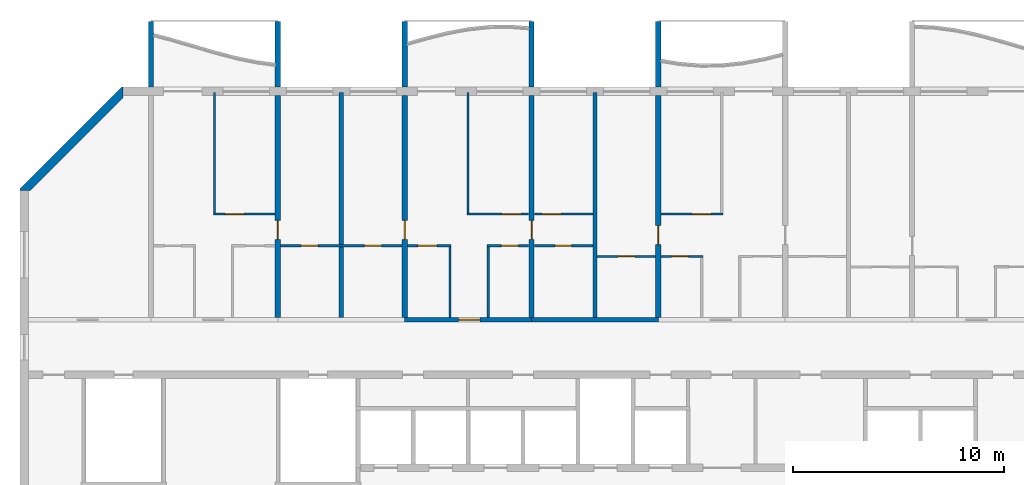
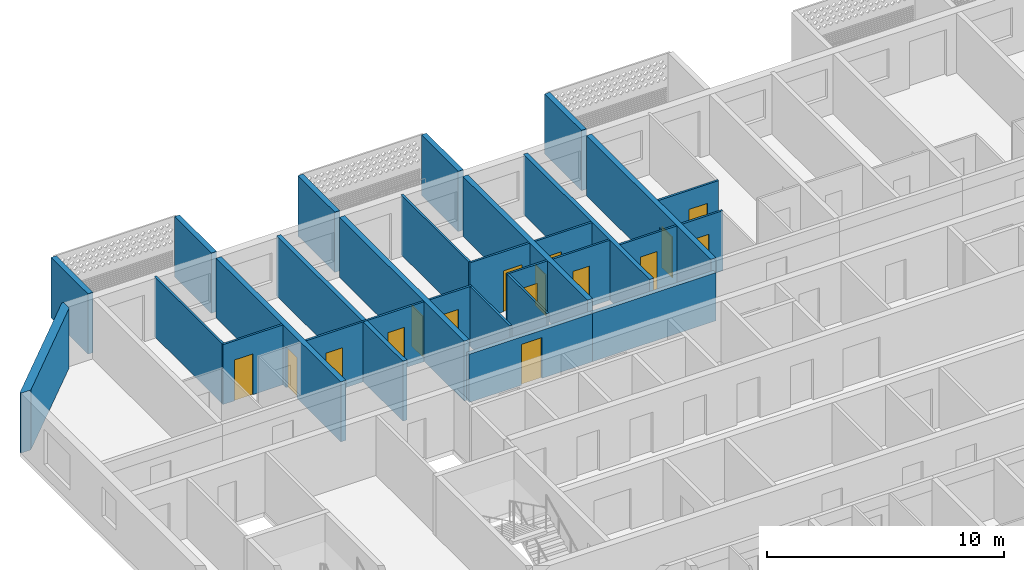
# One storey, part 8 of 26: 28 walls, 16 doors, 16 openings.
"""IFC4 building model written with IfcOpenShell, lengths in metres."""

from ifc_helpers import new_model, si_unit, direction, frame, frame_2d, origin, place, context, subcontext, project, spatial, polyline, rectangle, outline, extrude, source, transform, mapped, material, layer, layer_set, type_object, element, fill, save


model = new_model("IFC4")

# Units and contexts
model_context = context("Model", 3, precision=1e-05, world=origin(), true_north=direction((0.0, 1.0)))
body_context = subcontext(model_context, "Body", "Model", "MODEL_VIEW")
ifc_project = project(units=[si_unit("LENGTHUNIT", "METRE"), si_unit("AREAUNIT", "SQUARE_METRE"), si_unit("VOLUMEUNIT", "CUBIC_METRE"), si_unit("PLANEANGLEUNIT", "RADIAN"), si_unit("MASSUNIT", "GRAM", prefix="KILO")], contexts=[model_context])

# Site, building, storey
site_placement = place(None, origin())
site = spatial("IfcSite", under=ifc_project, at=site_placement, CompositionType="ELEMENT")
building_placement = place(site_placement, origin())
building = spatial("IfcBuilding", under=site, at=building_placement, Name="Poui Terraces", CompositionType="ELEMENT")
storey_placement = place(building_placement, frame((0.0, 0.0, 241.199951171875)))
storey = spatial("IfcBuildingStorey", under=building, at=storey_placement, Name="L67", CompositionType="ELEMENT", Elevation=241.199951171875)

# Wall, opening, door
ifc_material_1 = material(Name="Concrete 50 MPa", Category="concrete")
ifc_layer_1 = layer(ifc_material_1, 0.199951171875)
ifc_layer_set_1 = layer_set([ifc_layer_1], Name="Concrete 50 MPa")
wall_type_1 = type_object("IfcWallType", Name="CORRIDOR WALL 200 50MPa", PredefinedType="SHEAR", material=ifc_layer_set_1)
wall_1_placement = place(storey_placement, frame((36.0, 30.39990234375, 0.0), z_axis=(0.0, 0.0, 1.0), x_axis=(1.0, 0.0, 0.0)))
wall_1 = element("IfcWall", 1, at=wall_1_placement, inside=storey, type_object=wall_type_1, Name="CORRIDOR WALL LINE E BAY 4", PredefinedType="SHEAR", context=body_context, shape_type="SweptSolid", body=[
    extrude(rectangle(XDim=6.0, YDim=0.199951171875, at=frame_2d((3.0, 0.0))), origin(), (0.0, 0.0, 1.0), 2.47998046875),
])
opening_1_placement = place(wall_1_placement, frame((2.550048828125, 0.0, 0.0)))
opening_1 = element("IfcOpeningElement", 2, at=opening_1_placement, cuts=wall_1, Name="Opening FD30S", PredefinedType="OPENING", context=body_context, shape_type="SweptSolid", body=[
    extrude(rectangle(XDim=1.0, YDim=2.10009765625, at=frame_2d((0.5, 1.050048828125))), frame((0.0, 0.10986328125, 0.0), z_axis=(0.0, -1.0, 0.0), x_axis=(1.0, 0.0, 0.0)), (0.0, 0.0, 1.0), 0.219970703125),
])
ifc_material_2 = material(Name="Steel fire door", Category="steel")
door_type_1 = type_object("IfcDoorType", Name="FLAT ENTRANCE DOOR 1000 X 2100", OperationType="NOTDEFINED", PredefinedType="DOOR", material=ifc_material_2)
door_1_placement = place(opening_1_placement, origin())
door_1 = element("IfcDoor", 3, at=door_1_placement, inside=storey, type_object=door_type_1, Name="FLAT ENTRANCE DOOR 037", OperationType="SINGLE_SWING_RIGHT", OverallHeight=2.10009765625, OverallWidth=1.0, PredefinedType="DOOR", context=body_context, shape_type="SweptSolid", body=[
    extrude(rectangle(XDim=1.0, YDim=2.10009765625, at=frame_2d((0.5, 1.050048828125))), frame((0.0, 0.02490234375, 0.0), z_axis=(0.0, -1.0, 0.0), x_axis=(1.0, 0.0, 0.0)), (0.0, 0.0, 1.0), 0.050048828125),
])
fill(opening_1, door_1)

# Wall
wall_2_placement = place(storey_placement, frame((42.0, 30.39990234375, 0.0), z_axis=(0.0, 0.0, 1.0), x_axis=(1.0, 0.0, 0.0)))
element("IfcWall", 4, at=wall_2_placement, inside=storey, type_object=wall_type_1, Name="CORRIDOR WALL LINE E BAY 5", PredefinedType="SHEAR", context=body_context, shape_type="SweptSolid", body=[
    extrude(rectangle(XDim=6.0, YDim=0.199951171875, at=frame_2d((3.0, 0.0))), origin(), (0.0, 0.0, 1.0), 2.47998046875),
])

# Wall, opening, door
ifc_layer_2 = layer(ifc_material_1, 0.25)
ifc_layer_set_2 = layer_set([ifc_layer_2], Name="Concrete 50 MPa")
wall_type_2 = type_object("IfcWallType", Name="CROSS WALL 250 50MPa", PredefinedType="SHEAR", material=ifc_layer_set_2)
wall_3_placement = place(storey_placement, frame((30.0, 30.5, 0.0), z_axis=(0.0, 0.0, 1.0), x_axis=(0.0, 1.0, 0.0)))
wall_3 = element("IfcWall", 5, at=wall_3_placement, inside=storey, type_object=wall_type_2, Name="CROSS WALL LINE 6 NORTH", PredefinedType="SHEAR", context=body_context, shape_type="SweptSolid", body=[
    extrude(rectangle(XDim=10.5, YDim=0.25, at=frame_2d((5.25, 0.0))), origin(), (0.0, 0.0, 1.0), 3.080078125),
])
opening_2_placement = place(wall_3_placement, frame((3.699951171875, 0.0, 0.0)))
opening_2 = element("IfcOpeningElement", 6, at=opening_2_placement, cuts=wall_3, Name="Opening D90", PredefinedType="OPENING", context=body_context, shape_type="SweptSolid", body=[
    extrude(rectangle(XDim=0.89990234375, YDim=2.10009765625, at=frame_2d((0.449951171875, 1.050048828125))), frame((0.0, 0.135009765625, 0.0), z_axis=(0.0, -1.0, 0.0), x_axis=(1.0, 0.0, 0.0)), (0.0, 0.0, 1.0), 0.27001953125),
])
ifc_material_3 = material(Name="Solid core timber door", Category="wood")
door_type_2 = type_object("IfcDoorType", Name="INTERNAL DOOR 900 X 2100", OperationType="NOTDEFINED", PredefinedType="DOOR", material=ifc_material_3)
door_2_placement = place(opening_2_placement, frame((0.89990234375, 0.0, 0.0), z_axis=(0.0, 0.0, 1.0), x_axis=(-1.0, 0.0, 0.0)))
door_2 = element("IfcDoor", 7, at=door_2_placement, inside=storey, type_object=door_type_2, Name="INTERNAL DOOR 031", OperationType="SINGLE_SWING_RIGHT", OverallHeight=2.10009765625, OverallWidth=0.89990234375, PredefinedType="DOOR", context=body_context, shape_type="SweptSolid", body=[
    extrude(rectangle(XDim=0.89990234375, YDim=2.10009765625, at=frame_2d((0.449951171875, 1.050048828125))), frame((0.0, 0.02490234375, 0.0), z_axis=(0.0, -1.0, 0.0), x_axis=(1.0, 0.0, 0.0)), (0.0, 0.0, 1.0), 0.050048828125),
])
fill(opening_2, door_2)

wall_4_placement = place(storey_placement, frame((36.0, 30.5, 0.0), z_axis=(0.0, 0.0, 1.0), x_axis=(0.0, 1.0, 0.0)))
wall_4 = element("IfcWall", 8, at=wall_4_placement, inside=storey, type_object=wall_type_2, Name="CROSS WALL LINE 7 NORTH", PredefinedType="SHEAR", context=body_context, shape_type="SweptSolid", body=[
    extrude(rectangle(XDim=10.5, YDim=0.25, at=frame_2d((5.25, 0.0))), origin(), (0.0, 0.0, 1.0), 3.080078125),
])
opening_3_placement = place(wall_4_placement, frame((3.699951171875, 0.0, 0.0)))
opening_3 = element("IfcOpeningElement", 9, at=opening_3_placement, cuts=wall_4, Name="Opening D90", PredefinedType="OPENING", context=body_context, shape_type="SweptSolid", body=[
    extrude(rectangle(XDim=0.89990234375, YDim=2.10009765625, at=frame_2d((0.449951171875, 1.050048828125))), frame((0.0, 0.135009765625, 0.0), z_axis=(0.0, -1.0, 0.0), x_axis=(1.0, 0.0, 0.0)), (0.0, 0.0, 1.0), 0.27001953125),
])
door_3_placement = place(opening_3_placement, origin())
door_3 = element("IfcDoor", 10, at=door_3_placement, inside=storey, type_object=door_type_2, Name="INTERNAL DOOR 035", OperationType="SINGLE_SWING_LEFT", OverallHeight=2.10009765625, OverallWidth=0.89990234375, PredefinedType="DOOR", context=body_context, shape_type="SweptSolid", body=[
    extrude(rectangle(XDim=0.89990234375, YDim=2.10009765625, at=frame_2d((0.449951171875, 1.050048828125))), frame((0.0, 0.02490234375, 0.0), z_axis=(0.0, -1.0, 0.0), x_axis=(1.0, 0.0, 0.0)), (0.0, 0.0, 1.0), 0.050048828125),
])
fill(opening_3, door_3)

wall_5_placement = place(storey_placement, frame((42.0, 30.5, 0.0), z_axis=(0.0, 0.0, 1.0), x_axis=(0.0, 1.0, 0.0)))
wall_5 = element("IfcWall", 11, at=wall_5_placement, inside=storey, type_object=wall_type_2, Name="CROSS WALL LINE 8 NORTH", PredefinedType="SHEAR", context=body_context, shape_type="SweptSolid", body=[
    extrude(rectangle(XDim=10.5, YDim=0.25, at=frame_2d((5.25, 0.0))), origin(), (0.0, 0.0, 1.0), 3.080078125),
])
opening_4_placement = place(wall_5_placement, frame((3.699951171875, 0.0, 0.0)))
opening_4 = element("IfcOpeningElement", 12, at=opening_4_placement, cuts=wall_5, Name="Opening D90", PredefinedType="OPENING", context=body_context, shape_type="SweptSolid", body=[
    extrude(rectangle(XDim=0.89990234375, YDim=2.10009765625, at=frame_2d((0.449951171875, 1.050048828125))), frame((0.0, 0.135009765625, 0.0), z_axis=(0.0, -1.0, 0.0), x_axis=(1.0, 0.0, 0.0)), (0.0, 0.0, 1.0), 0.27001953125),
])
door_4_placement = place(opening_4_placement, origin())
door_4 = element("IfcDoor", 13, at=door_4_placement, inside=storey, type_object=door_type_2, Name="INTERNAL DOOR 040", OperationType="SINGLE_SWING_LEFT", OverallHeight=2.10009765625, OverallWidth=0.89990234375, PredefinedType="DOOR", context=body_context, shape_type="SweptSolid", body=[
    extrude(rectangle(XDim=0.89990234375, YDim=2.10009765625, at=frame_2d((0.449951171875, 1.050048828125))), frame((0.0, 0.02490234375, 0.0), z_axis=(0.0, -1.0, 0.0), x_axis=(1.0, 0.0, 0.0)), (0.0, 0.0, 1.0), 0.050048828125),
])
fill(opening_4, door_4)

wall_6_placement = place(storey_placement, frame((48.0, 30.5, 0.0), z_axis=(0.0, 0.0, 1.0), x_axis=(0.0, 1.0, 0.0)))
wall_6 = element("IfcWall", 14, at=wall_6_placement, inside=storey, type_object=wall_type_2, Name="CROSS WALL LINE 9 NORTH", PredefinedType="SHEAR", context=body_context, shape_type="SweptSolid", body=[
    extrude(rectangle(XDim=10.5, YDim=0.25, at=frame_2d((5.25, 0.0))), origin(), (0.0, 0.0, 1.0), 3.080078125),
])
opening_5_placement = place(wall_6_placement, frame((3.449951171875, 0.0, 0.0)))
opening_5 = element("IfcOpeningElement", 15, at=opening_5_placement, cuts=wall_6, Name="Opening D90", PredefinedType="OPENING", context=body_context, shape_type="SweptSolid", body=[
    extrude(rectangle(XDim=0.89990234375, YDim=2.10009765625, at=frame_2d((0.449951171875, 1.050048828125))), frame((0.0, 0.135009765625, 0.0), z_axis=(0.0, -1.0, 0.0), x_axis=(1.0, 0.0, 0.0)), (0.0, 0.0, 1.0), 0.27001953125),
])
door_5_placement = place(opening_5_placement, origin())
door_5 = element("IfcDoor", 16, at=door_5_placement, inside=storey, type_object=door_type_2, Name="INTERNAL DOOR 043", OperationType="SINGLE_SWING_LEFT", OverallHeight=2.10009765625, OverallWidth=0.89990234375, PredefinedType="DOOR", context=body_context, shape_type="SweptSolid", body=[
    extrude(rectangle(XDim=0.89990234375, YDim=2.10009765625, at=frame_2d((0.449951171875, 1.050048828125))), frame((0.0, 0.02490234375, 0.0), z_axis=(0.0, -1.0, 0.0), x_axis=(1.0, 0.0, 0.0)), (0.0, 0.0, 1.0), 0.050048828125),
])
fill(opening_5, door_5)

ifc_material_4 = material(Name="Plasterboard partition")
ifc_layer_3 = layer(ifc_material_4, 0.10009765625)
ifc_layer_set_3 = layer_set([ifc_layer_3], Name="Plasterboard partition")
wall_type_3 = type_object("IfcWallType", Name="FLAT PARTITION 100", PredefinedType="PARTITIONING", material=ifc_layer_set_3)
wall_7_placement = place(storey_placement, frame((45.10009765625, 33.39990234375, 0.0), z_axis=(0.0, 0.0, 1.0), x_axis=(1.0, 0.0, 0.0)))
wall_7 = element("IfcWall", 17, at=wall_7_placement, inside=storey, type_object=wall_type_3, Name="FLAT PARTITION 100", PredefinedType="PARTITIONING", context=body_context, shape_type="SweptSolid", body=[
    extrude(rectangle(XDim=2.764892578125, YDim=0.10009765625, at=frame_2d((1.38232421875, 0.0))), origin(), (0.0, 0.0, 1.0), 3.080078125),
])
opening_6_placement = place(wall_7_placement, frame((1.0, 0.0, 0.0)))
opening_6 = element("IfcOpeningElement", 18, at=opening_6_placement, cuts=wall_7, Name="Opening D80", PredefinedType="OPENING", context=body_context, shape_type="SweptSolid", body=[
    extrude(rectangle(XDim=0.800048828125, YDim=2.10009765625, at=frame_2d((0.39990234375, 1.050048828125))), frame((0.0, 0.06005859375, 0.0), z_axis=(0.0, -1.0, 0.0), x_axis=(1.0, 0.0, 0.0)), (0.0, 0.0, 1.0), 0.1201171875),
])
door_type_3 = type_object("IfcDoorType", Name="BATHROOM, LAUNDRY AND STORE DOOR 800 X 2100", OperationType="NOTDEFINED", PredefinedType="DOOR", material=ifc_material_3)
door_6_placement = place(opening_6_placement, frame((0.800048828125, 0.0, 0.0), z_axis=(0.0, 0.0, 1.0), x_axis=(-1.0, 0.0, 0.0)))
door_6 = element("IfcDoor", 19, at=door_6_placement, inside=storey, type_object=door_type_3, Name="BATHROOM, LAUNDRY AND STORE DOOR 041", OperationType="SINGLE_SWING_LEFT", OverallHeight=2.10009765625, OverallWidth=0.800048828125, PredefinedType="DOOR", context=body_context, shape_type="SweptSolid", body=[
    extrude(rectangle(XDim=0.800048828125, YDim=2.10009765625, at=frame_2d((0.39990234375, 1.050048828125))), frame((0.0, 0.02490234375, 0.0), z_axis=(0.0, -1.0, 0.0), x_axis=(1.0, 0.0, 0.0)), (0.0, 0.0, 1.0), 0.050048828125),
])
fill(opening_6, door_6)

wall_8_placement = place(storey_placement, frame((48.135009765625, 33.39990234375, 0.0), z_axis=(0.0, 0.0, 1.0), x_axis=(1.0, 0.0, 0.0)))
wall_8 = element("IfcWall", 20, at=wall_8_placement, inside=storey, type_object=wall_type_3, Name="FLAT PARTITION 100", PredefinedType="PARTITIONING", context=body_context, shape_type="SweptSolid", body=[
    extrude(rectangle(XDim=1.965087890625, YDim=0.10009765625, at=frame_2d((0.982421875, 0.0))), origin(), (0.0, 0.0, 1.0), 3.080078125),
])
opening_7_placement = place(wall_8_placement, frame((0.489990234375, 0.0, 0.0)))
opening_7 = element("IfcOpeningElement", 21, at=opening_7_placement, cuts=wall_8, Name="Opening D80", PredefinedType="OPENING", context=body_context, shape_type="SweptSolid", body=[
    extrude(rectangle(XDim=0.800048828125, YDim=2.10009765625, at=frame_2d((0.39990234375, 1.050048828125))), frame((0.0, 0.06005859375, 0.0), z_axis=(0.0, -1.0, 0.0), x_axis=(1.0, 0.0, 0.0)), (0.0, 0.0, 1.0), 0.1201171875),
])
door_7_placement = place(opening_7_placement, frame((0.800048828125, 0.0, 0.0), z_axis=(0.0, 0.0, 1.0), x_axis=(-1.0, 0.0, 0.0)))
door_7 = element("IfcDoor", 22, at=door_7_placement, inside=storey, type_object=door_type_3, Name="BATHROOM, LAUNDRY AND STORE DOOR 044", OperationType="SINGLE_SWING_LEFT", OverallHeight=2.10009765625, OverallWidth=0.800048828125, PredefinedType="DOOR", context=body_context, shape_type="SweptSolid", body=[
    extrude(rectangle(XDim=0.800048828125, YDim=2.10009765625, at=frame_2d((0.39990234375, 1.050048828125))), frame((0.0, 0.02490234375, 0.0), z_axis=(0.0, -1.0, 0.0), x_axis=(1.0, 0.0, 0.0)), (0.0, 0.0, 1.0), 0.050048828125),
])
fill(opening_7, door_7)

# Wall, openings, doors
wall_9_placement = place(storey_placement, frame((30.135009765625, 33.89990234375, 0.0), z_axis=(0.0, 0.0, 1.0), x_axis=(1.0, 0.0, 0.0)))
wall_9 = element("IfcWall", 23, at=wall_9_placement, inside=storey, type_object=wall_type_3, Name="FLAT PARTITION 100", PredefinedType="PARTITIONING", context=body_context, shape_type="SweptSolid", body=[
    extrude(rectangle(XDim=5.72998046875, YDim=0.10009765625, at=frame_2d((2.864990234375, 0.0))), origin(), (0.0, 0.0, 1.0), 3.080078125),
])
opening_8_placement = place(wall_9_placement, frame((0.965087890625, 0.0, 0.0)))
opening_8 = element("IfcOpeningElement", 24, at=opening_8_placement, cuts=wall_9, Name="Opening D80", PredefinedType="OPENING", context=body_context, shape_type="SweptSolid", body=[
    extrude(rectangle(XDim=0.800048828125, YDim=2.10009765625, at=frame_2d((0.39990234375, 1.050048828125))), frame((0.0, 0.06005859375, 0.0), z_axis=(0.0, -1.0, 0.0), x_axis=(1.0, 0.0, 0.0)), (0.0, 0.0, 1.0), 0.1201171875),
])
opening_9_placement = place(wall_9_placement, frame((3.965087890625, 0.0, 0.0)))
opening_9 = element("IfcOpeningElement", 25, at=opening_9_placement, cuts=wall_9, Name="Opening D80", PredefinedType="OPENING", context=body_context, shape_type="SweptSolid", body=[
    extrude(rectangle(XDim=0.800048828125, YDim=2.10009765625, at=frame_2d((0.39990234375, 1.050048828125))), frame((0.0, 0.06005859375, 0.0), z_axis=(0.0, -1.0, 0.0), x_axis=(1.0, 0.0, 0.0)), (0.0, 0.0, 1.0), 0.1201171875),
])
door_8_placement = place(opening_8_placement, frame((0.800048828125, 0.0, 0.0), z_axis=(0.0, 0.0, 1.0), x_axis=(-1.0, 0.0, 0.0)))
door_8 = element("IfcDoor", 26, at=door_8_placement, inside=storey, type_object=door_type_3, Name="BATHROOM, LAUNDRY AND STORE DOOR 026", OperationType="SINGLE_SWING_LEFT", OverallHeight=2.10009765625, OverallWidth=0.800048828125, PredefinedType="DOOR", context=body_context, shape_type="SweptSolid", body=[
    extrude(rectangle(XDim=0.800048828125, YDim=2.10009765625, at=frame_2d((0.39990234375, 1.050048828125))), frame((0.0, 0.02490234375, 0.0), z_axis=(0.0, -1.0, 0.0), x_axis=(1.0, 0.0, 0.0)), (0.0, 0.0, 1.0), 0.050048828125),
])
fill(opening_8, door_8)
door_9_placement = place(opening_9_placement, frame((0.800048828125, 0.0, 0.0), z_axis=(0.0, 0.0, 1.0), x_axis=(-1.0, 0.0, 0.0)))
door_9 = element("IfcDoor", 27, at=door_9_placement, inside=storey, type_object=door_type_3, Name="BATHROOM, LAUNDRY AND STORE DOOR 032", OperationType="SINGLE_SWING_RIGHT", OverallHeight=2.10009765625, OverallWidth=0.800048828125, PredefinedType="DOOR", context=body_context, shape_type="SweptSolid", body=[
    extrude(rectangle(XDim=0.800048828125, YDim=2.10009765625, at=frame_2d((0.39990234375, 1.050048828125))), frame((0.0, 0.02490234375, 0.0), z_axis=(0.0, -1.0, 0.0), x_axis=(1.0, 0.0, 0.0)), (0.0, 0.0, 1.0), 0.050048828125),
])
fill(opening_9, door_9)

# Wall, opening, door
wall_10_placement = place(storey_placement, frame((36.135009765625, 33.89990234375, 0.0), z_axis=(0.0, 0.0, 1.0), x_axis=(1.0, 0.0, 0.0)))
wall_10 = element("IfcWall", 28, at=wall_10_placement, inside=storey, type_object=wall_type_3, Name="FLAT PARTITION 100", PredefinedType="PARTITIONING", context=body_context, shape_type="SweptSolid", body=[
    extrude(rectangle(XDim=2.06494140625, YDim=0.10009765625, at=frame_2d((1.032470703125, 0.0))), origin(), (0.0, 0.0, 1.0), 3.080078125),
])
opening_10_placement = place(wall_10_placement, frame((0.489990234375, 0.0, 0.0)))
opening_10 = element("IfcOpeningElement", 29, at=opening_10_placement, cuts=wall_10, Name="Opening D90", PredefinedType="OPENING", context=body_context, shape_type="SweptSolid", body=[
    extrude(rectangle(XDim=0.89990234375, YDim=2.10009765625, at=frame_2d((0.449951171875, 1.050048828125))), frame((0.0, 0.06005859375, 0.0), z_axis=(0.0, -1.0, 0.0), x_axis=(1.0, 0.0, 0.0)), (0.0, 0.0, 1.0), 0.1201171875),
])
door_10_placement = place(opening_10_placement, frame((0.89990234375, 0.0, 0.0), z_axis=(0.0, 0.0, 1.0), x_axis=(-1.0, 0.0, 0.0)))
door_10 = element("IfcDoor", 30, at=door_10_placement, inside=storey, type_object=door_type_2, Name="INTERNAL DOOR 036", OperationType="SINGLE_SWING_RIGHT", OverallHeight=2.10009765625, OverallWidth=0.89990234375, PredefinedType="DOOR", context=body_context, shape_type="SweptSolid", body=[
    extrude(rectangle(XDim=0.89990234375, YDim=2.10009765625, at=frame_2d((0.449951171875, 1.050048828125))), frame((0.0, 0.02490234375, 0.0), z_axis=(0.0, -1.0, 0.0), x_axis=(1.0, 0.0, 0.0)), (0.0, 0.0, 1.0), 0.050048828125),
])
fill(opening_10, door_10)

wall_11_placement = place(storey_placement, frame((39.89990234375, 33.89990234375, 0.0), z_axis=(0.0, 0.0, 1.0), x_axis=(1.0, 0.0, 0.0)))
wall_11 = element("IfcWall", 31, at=wall_11_placement, inside=storey, type_object=wall_type_3, Name="FLAT PARTITION 100", PredefinedType="PARTITIONING", context=body_context, shape_type="SweptSolid", body=[
    extrude(rectangle(XDim=1.965087890625, YDim=0.10009765625, at=frame_2d((0.982421875, 0.0))), origin(), (0.0, 0.0, 1.0), 3.080078125),
])
opening_11_placement = place(wall_11_placement, frame((0.675048828125, 0.0, 0.0)))
opening_11 = element("IfcOpeningElement", 32, at=opening_11_placement, cuts=wall_11, Name="Opening D80", PredefinedType="OPENING", context=body_context, shape_type="SweptSolid", body=[
    extrude(rectangle(XDim=0.800048828125, YDim=2.10009765625, at=frame_2d((0.39990234375, 1.050048828125))), frame((0.0, 0.06005859375, 0.0), z_axis=(0.0, -1.0, 0.0), x_axis=(1.0, 0.0, 0.0)), (0.0, 0.0, 1.0), 0.1201171875),
])
door_11_placement = place(opening_11_placement, frame((0.800048828125, 0.0, 0.0), z_axis=(0.0, 0.0, 1.0), x_axis=(-1.0, 0.0, 0.0)))
door_11 = element("IfcDoor", 33, at=door_11_placement, inside=storey, type_object=door_type_3, Name="BATHROOM, LAUNDRY AND STORE DOOR 038", OperationType="SINGLE_SWING_LEFT", OverallHeight=2.10009765625, OverallWidth=0.800048828125, PredefinedType="DOOR", context=body_context, shape_type="SweptSolid", body=[
    extrude(rectangle(XDim=0.800048828125, YDim=2.10009765625, at=frame_2d((0.39990234375, 1.050048828125))), frame((0.0, 0.02490234375, 0.0), z_axis=(0.0, -1.0, 0.0), x_axis=(1.0, 0.0, 0.0)), (0.0, 0.0, 1.0), 0.050048828125),
])
fill(opening_11, door_11)

wall_12_placement = place(storey_placement, frame((42.135009765625, 33.89990234375, 0.0), z_axis=(0.0, 0.0, 1.0), x_axis=(1.0, 0.0, 0.0)))
wall_12 = element("IfcWall", 34, at=wall_12_placement, inside=storey, type_object=wall_type_3, Name="FLAT PARTITION 100", PredefinedType="PARTITIONING", context=body_context, shape_type="SweptSolid", body=[
    extrude(rectangle(XDim=2.764892578125, YDim=0.10009765625, at=frame_2d((1.38232421875, 0.0))), origin(), (0.0, 0.0, 1.0), 3.080078125),
])
opening_12_placement = place(wall_12_placement, frame((0.965087890625, 0.0, 0.0)))
opening_12 = element("IfcOpeningElement", 35, at=opening_12_placement, cuts=wall_12, Name="Opening D80", PredefinedType="OPENING", context=body_context, shape_type="SweptSolid", body=[
    extrude(rectangle(XDim=0.800048828125, YDim=2.10009765625, at=frame_2d((0.39990234375, 1.050048828125))), frame((0.0, 0.06005859375, 0.0), z_axis=(0.0, -1.0, 0.0), x_axis=(1.0, 0.0, 0.0)), (0.0, 0.0, 1.0), 0.1201171875),
])
door_12_placement = place(opening_12_placement, frame((0.800048828125, 0.0, 0.0), z_axis=(0.0, 0.0, 1.0), x_axis=(-1.0, 0.0, 0.0)))
door_12 = element("IfcDoor", 36, at=door_12_placement, inside=storey, type_object=door_type_3, Name="BATHROOM, LAUNDRY AND STORE DOOR 034", OperationType="SINGLE_SWING_LEFT", OverallHeight=2.10009765625, OverallWidth=0.800048828125, PredefinedType="DOOR", context=body_context, shape_type="SweptSolid", body=[
    extrude(rectangle(XDim=0.800048828125, YDim=2.10009765625, at=frame_2d((0.39990234375, 1.050048828125))), frame((0.0, 0.02490234375, 0.0), z_axis=(0.0, -1.0, 0.0), x_axis=(1.0, 0.0, 0.0)), (0.0, 0.0, 1.0), 0.050048828125),
])
fill(opening_12, door_12)

wall_13_placement = place(storey_placement, frame((26.949951171875, 35.39990234375, 0.0), z_axis=(0.0, 0.0, 1.0), x_axis=(1.0, 0.0, 0.0)))
wall_13 = element("IfcWall", 37, at=wall_13_placement, inside=storey, type_object=wall_type_3, Name="FLAT PARTITION 100", PredefinedType="PARTITIONING", context=body_context, shape_type="SweptSolid", body=[
    extrude(rectangle(XDim=2.9150390625, YDim=0.10009765625, at=frame_2d((1.45751953125, 0.0))), origin(), (0.0, 0.0, 1.0), 3.080078125),
])
opening_13_placement = place(wall_13_placement, frame((0.550048828125, 0.0, 0.0)))
opening_13 = element("IfcOpeningElement", 38, at=opening_13_placement, cuts=wall_13, Name="Opening D90", PredefinedType="OPENING", context=body_context, shape_type="SweptSolid", body=[
    extrude(rectangle(XDim=0.89990234375, YDim=2.10009765625, at=frame_2d((0.449951171875, 1.050048828125))), frame((0.0, 0.06005859375, 0.0), z_axis=(0.0, -1.0, 0.0), x_axis=(1.0, 0.0, 0.0)), (0.0, 0.0, 1.0), 0.1201171875),
])
door_13_placement = place(opening_13_placement, frame((0.89990234375, 0.0, 0.0), z_axis=(0.0, 0.0, 1.0), x_axis=(-1.0, 0.0, 0.0)))
door_13 = element("IfcDoor", 39, at=door_13_placement, inside=storey, type_object=door_type_2, Name="INTERNAL DOOR 029", OperationType="SINGLE_SWING_LEFT", OverallHeight=2.10009765625, OverallWidth=0.89990234375, PredefinedType="DOOR", context=body_context, shape_type="SweptSolid", body=[
    extrude(rectangle(XDim=0.89990234375, YDim=2.10009765625, at=frame_2d((0.449951171875, 1.050048828125))), frame((0.0, 0.02490234375, 0.0), z_axis=(0.0, -1.0, 0.0), x_axis=(1.0, 0.0, 0.0)), (0.0, 0.0, 1.0), 0.050048828125),
])
fill(opening_13, door_13)

wall_14_placement = place(storey_placement, frame((38.949951171875, 35.39990234375, 0.0), z_axis=(0.0, 0.0, 1.0), x_axis=(1.0, 0.0, 0.0)))
wall_14 = element("IfcWall", 40, at=wall_14_placement, inside=storey, type_object=wall_type_3, Name="FLAT PARTITION 100", PredefinedType="PARTITIONING", context=body_context, shape_type="SweptSolid", body=[
    extrude(rectangle(XDim=2.9150390625, YDim=0.10009765625, at=frame_2d((1.45751953125, 0.0))), origin(), (0.0, 0.0, 1.0), 3.080078125),
])
opening_14_placement = place(wall_14_placement, frame((1.64990234375, 0.0, 0.0)))
opening_14 = element("IfcOpeningElement", 41, at=opening_14_placement, cuts=wall_14, Name="Opening D90", PredefinedType="OPENING", context=body_context, shape_type="SweptSolid", body=[
    extrude(rectangle(XDim=0.89990234375, YDim=2.10009765625, at=frame_2d((0.449951171875, 1.050048828125))), frame((0.0, 0.06005859375, 0.0), z_axis=(0.0, -1.0, 0.0), x_axis=(1.0, 0.0, 0.0)), (0.0, 0.0, 1.0), 0.1201171875),
])
door_14_placement = place(opening_14_placement, frame((0.89990234375, 0.0, 0.0), z_axis=(0.0, 0.0, 1.0), x_axis=(-1.0, 0.0, 0.0)))
door_14 = element("IfcDoor", 42, at=door_14_placement, inside=storey, type_object=door_type_2, Name="INTERNAL DOOR 039", OperationType="SINGLE_SWING_RIGHT", OverallHeight=2.10009765625, OverallWidth=0.89990234375, PredefinedType="DOOR", context=body_context, shape_type="SweptSolid", body=[
    extrude(rectangle(XDim=0.89990234375, YDim=2.10009765625, at=frame_2d((0.449951171875, 1.050048828125))), frame((0.0, 0.02490234375, 0.0), z_axis=(0.0, -1.0, 0.0), x_axis=(1.0, 0.0, 0.0)), (0.0, 0.0, 1.0), 0.050048828125),
])
fill(opening_14, door_14)

wall_15_placement = place(storey_placement, frame((42.135009765625, 35.39990234375, 0.0), z_axis=(0.0, 0.0, 1.0), x_axis=(1.0, 0.0, 0.0)))
wall_15 = element("IfcWall", 43, at=wall_15_placement, inside=storey, type_object=wall_type_3, Name="FLAT PARTITION 100", PredefinedType="PARTITIONING", context=body_context, shape_type="SweptSolid", body=[
    extrude(rectangle(XDim=2.764892578125, YDim=0.10009765625, at=frame_2d((1.38232421875, 0.0))), origin(), (0.0, 0.0, 1.0), 3.080078125),
])
opening_15_placement = place(wall_15_placement, frame((0.364990234375, 0.0, 0.0)))
opening_15 = element("IfcOpeningElement", 44, at=opening_15_placement, cuts=wall_15, Name="Opening D90", PredefinedType="OPENING", context=body_context, shape_type="SweptSolid", body=[
    extrude(rectangle(XDim=0.89990234375, YDim=2.10009765625, at=frame_2d((0.449951171875, 1.050048828125))), frame((0.0, 0.06005859375, 0.0), z_axis=(0.0, -1.0, 0.0), x_axis=(1.0, 0.0, 0.0)), (0.0, 0.0, 1.0), 0.1201171875),
])
door_15_placement = place(opening_15_placement, origin())
door_15 = element("IfcDoor", 45, at=door_15_placement, inside=storey, type_object=door_type_2, Name="INTERNAL DOOR 033", OperationType="SINGLE_SWING_LEFT", OverallHeight=2.10009765625, OverallWidth=0.89990234375, PredefinedType="DOOR", context=body_context, shape_type="SweptSolid", body=[
    extrude(rectangle(XDim=0.89990234375, YDim=2.10009765625, at=frame_2d((0.449951171875, 1.050048828125))), frame((0.0, 0.02490234375, 0.0), z_axis=(0.0, -1.0, 0.0), x_axis=(1.0, 0.0, 0.0)), (0.0, 0.0, 1.0), 0.050048828125),
])
fill(opening_15, door_15)

wall_16_placement = place(storey_placement, frame((48.135009765625, 35.39990234375, 0.0), z_axis=(0.0, 0.0, 1.0), x_axis=(1.0, 0.0, 0.0)))
wall_16 = element("IfcWall", 46, at=wall_16_placement, inside=storey, type_object=wall_type_3, Name="FLAT PARTITION 100", PredefinedType="PARTITIONING", context=body_context, shape_type="SweptSolid", body=[
    extrude(rectangle(XDim=2.9150390625, YDim=0.10009765625, at=frame_2d((1.45751953125, 0.0))), origin(), (0.0, 0.0, 1.0), 3.080078125),
])
opening_16_placement = place(wall_16_placement, frame((1.465087890625, 0.0, 0.0)))
opening_16 = element("IfcOpeningElement", 47, at=opening_16_placement, cuts=wall_16, Name="Opening D90", PredefinedType="OPENING", context=body_context, shape_type="SweptSolid", body=[
    extrude(rectangle(XDim=0.89990234375, YDim=2.10009765625, at=frame_2d((0.449951171875, 1.050048828125))), frame((0.0, 0.06005859375, 0.0), z_axis=(0.0, -1.0, 0.0), x_axis=(1.0, 0.0, 0.0)), (0.0, 0.0, 1.0), 0.1201171875),
])
door_16_placement = place(opening_16_placement, frame((0.89990234375, 0.0, 0.0), z_axis=(0.0, 0.0, 1.0), x_axis=(-1.0, 0.0, 0.0)))
door_16 = element("IfcDoor", 48, at=door_16_placement, inside=storey, type_object=door_type_2, Name="INTERNAL DOOR 045", OperationType="SINGLE_SWING_RIGHT", OverallHeight=2.10009765625, OverallWidth=0.89990234375, PredefinedType="DOOR", context=body_context, shape_type="SweptSolid", body=[
    extrude(rectangle(XDim=0.89990234375, YDim=2.10009765625, at=frame_2d((0.449951171875, 1.050048828125))), frame((0.0, 0.02490234375, 0.0), z_axis=(0.0, -1.0, 0.0), x_axis=(1.0, 0.0, 0.0)), (0.0, 0.0, 1.0), 0.050048828125),
])
fill(opening_16, door_16)

# Walls
wall_17_placement = place(storey_placement, frame((27.0, 35.449951171875, 0.0), z_axis=(0.0, 0.0, 1.0), x_axis=(0.0, 1.0, 0.0)))
element("IfcWall", 49, at=wall_17_placement, inside=storey, type_object=wall_type_3, Name="FLAT PARTITION 100", PredefinedType="PARTITIONING", context=body_context, shape_type="SweptSolid", body=[
    extrude(rectangle(XDim=5.68994140625, YDim=0.10009765625, at=frame_2d((2.844970703125, 0.0))), origin(), (0.0, 0.0, 1.0), 3.080078125),
])
wall_18_placement = place(storey_placement, frame((38.14990234375, 30.510009765625, 0.0), z_axis=(0.0, 0.0, 1.0), x_axis=(0.0, 1.0, 0.0)))
element("IfcWall", 50, at=wall_18_placement, inside=storey, type_object=wall_type_3, Name="FLAT PARTITION 100", PredefinedType="PARTITIONING", context=body_context, shape_type="SweptSolid", body=[
    extrude(rectangle(XDim=3.340087890625, YDim=0.10009765625, at=frame_2d((1.669921875, 0.0))), origin(), (0.0, 0.0, 1.0), 3.080078125),
])
wall_19_placement = place(storey_placement, frame((39.0, 35.449951171875, 0.0), z_axis=(0.0, 0.0, 1.0), x_axis=(0.0, 1.0, 0.0)))
element("IfcWall", 51, at=wall_19_placement, inside=storey, type_object=wall_type_3, Name="FLAT PARTITION 100", PredefinedType="PARTITIONING", context=body_context, shape_type="SweptSolid", body=[
    extrude(rectangle(XDim=5.68994140625, YDim=0.10009765625, at=frame_2d((2.844970703125, 0.0))), origin(), (0.0, 0.0, 1.0), 3.080078125),
])
wall_20_placement = place(storey_placement, frame((39.949951171875, 30.510009765625, 0.0), z_axis=(0.0, 0.0, 1.0), x_axis=(0.0, 1.0, 0.0)))
element("IfcWall", 52, at=wall_20_placement, inside=storey, type_object=wall_type_3, Name="FLAT PARTITION 100", PredefinedType="PARTITIONING", context=body_context, shape_type="SweptSolid", body=[
    extrude(rectangle(XDim=3.340087890625, YDim=0.10009765625, at=frame_2d((1.669921875, 0.0))), origin(), (0.0, 0.0, 1.0), 3.080078125),
])
ifc_material_5 = material(Name="Fire-rated masonry wall", Category="masonry")
ifc_layer_4 = layer(ifc_material_5, 0.199951171875)
ifc_layer_set_4 = layer_set([ifc_layer_4], Name="Fire-rated masonry wall")
wall_type_4 = type_object("IfcWallType", Name="FLAT PARTY WALL 200", PredefinedType="PARTITIONING", material=ifc_layer_set_4)
for number, where, z_axis, x_axis, name in (
    (53, (33.0, 30.510009765625, 0.0), (0.0, 0.0, 1.0), (0.0, 1.0, 0.0), "FLAT PARTY WALL 200"),
    (54, (45.0, 30.510009765625, 0.0), (0.0, 0.0, 1.0), (0.0, 1.0, 0.0), "FLAT PARTY WALL 200"),
):
    element("IfcWall", number, at=place(storey_placement, frame(where, z_axis=z_axis, x_axis=x_axis)), inside=storey, type_object=wall_type_4, Name=name, PredefinedType="PARTITIONING", context=body_context, shape_type="SweptSolid", body=[
        extrude(rectangle(XDim=10.6298828125, YDim=0.199951171875, at=frame_2d((5.31494140625, 0.0))), origin(), (0.0, 0.0, 1.0), 3.080078125),
    ])
ifc_material_6 = material(Name="Precast concrete 40 MPa", Category="concrete")
ifc_layer_5 = layer(ifc_material_6, 0.39990234375)
ifc_layer_set_5 = layer_set([ifc_layer_5], Name="Precast concrete 40 MPa")
wall_type_5 = type_object("IfcWallType", Name="TERRACOTTA CLAD CHAMFER WALL 400", PredefinedType="STANDARD", material=ifc_layer_set_5)
wall_21_placement = place(storey_placement, origin())
element("IfcWall", 55, at=wall_21_placement, inside=storey, type_object=wall_type_5, Name="CHAMFER WALL CH05", PredefinedType="STANDARD", context=body_context, shape_type="SweptSolid", body=[
    extrude(outline(polyline([(22.682861328125, 41.39990234375), (22.60009765625, 41.39990234375), (17.800048828125, 36.60009765625), (17.800048828125, 36.51708984375), (18.28271484375, 36.51708984375), (22.682861328125, 40.917236328125), (22.682861328125, 41.39990234375)])), origin(), (0.0, 0.0, 1.0), 3.080078125),
])
ifc_layer_6 = layer(ifc_material_6, 0.25)
ifc_layer_set_6 = layer_set([ifc_layer_6], Name="Precast concrete 40 MPa")
wall_type_6 = type_object("IfcWallType", Name="BALCONY FIN 250", PredefinedType="STANDARD", material=ifc_layer_set_6)
shared_shape = source(origin(), body_context, "Body", "SweptSolid", [
    extrude(outline(polyline([(0.0, 0.0), (0.25, 0.0), (0.25, 3.10009765625), (0.0, 3.10009765625), (0.0, 0.0)])), origin(), (0.0, 0.0, 1.0), 3.10009765625),
])
for number, where, name in (
    (56, (23.875, 41.39990234375, 0.0), "BALCONY FIN"),
    (57, (29.875, 41.39990234375, 0.0), "BALCONY FIN"),
    (58, (35.875, 41.39990234375, 0.0), "BALCONY FIN"),
    (59, (41.875, 41.39990234375, 0.0), "BALCONY FIN"),
    (60, (47.875, 41.39990234375, 0.0), "BALCONY FIN"),
):
    element("IfcWall", number, at=place(storey_placement, frame(where)), inside=storey, type_object=wall_type_6, Name=name, PredefinedType="STANDARD", context=body_context, shape_type="MappedRepresentation", body=[
        mapped(shared_shape, transform((0.0, 0.0, 0.0))),
    ])

save(model, "model.ifc")
